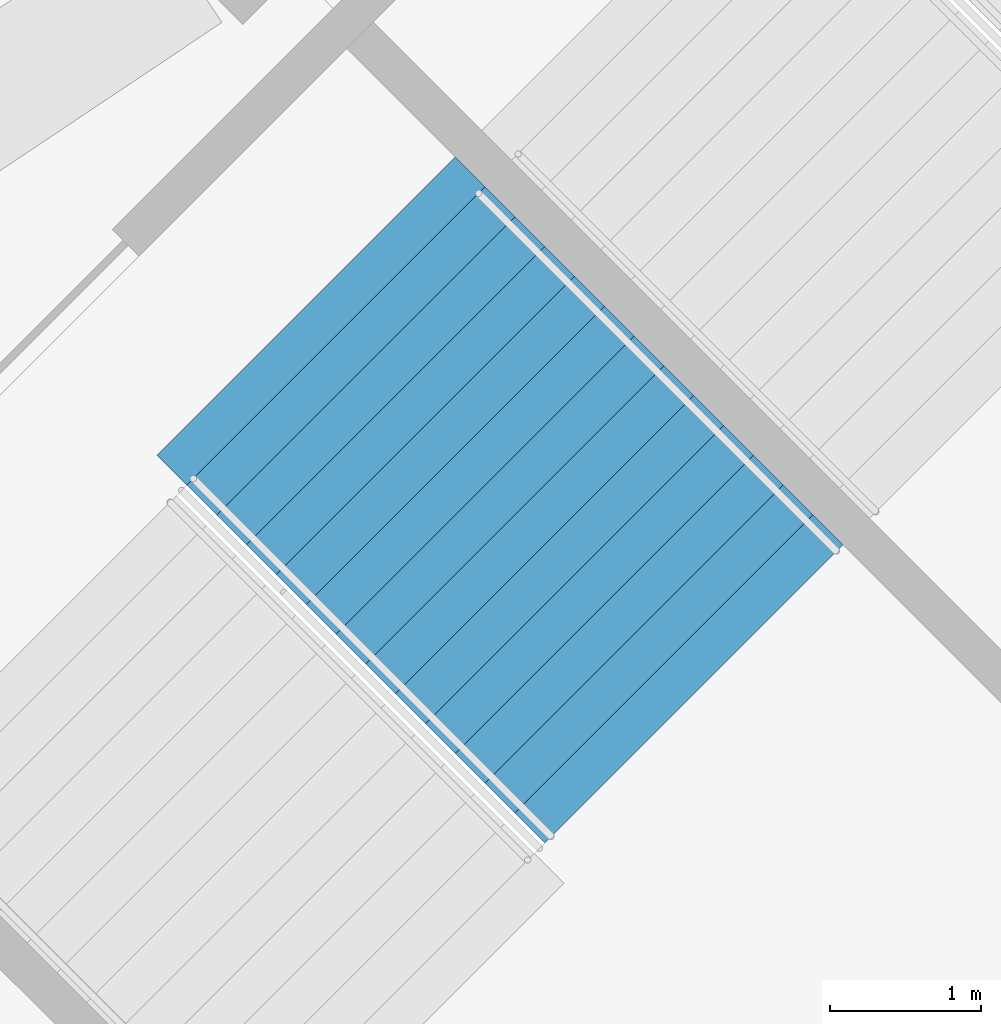
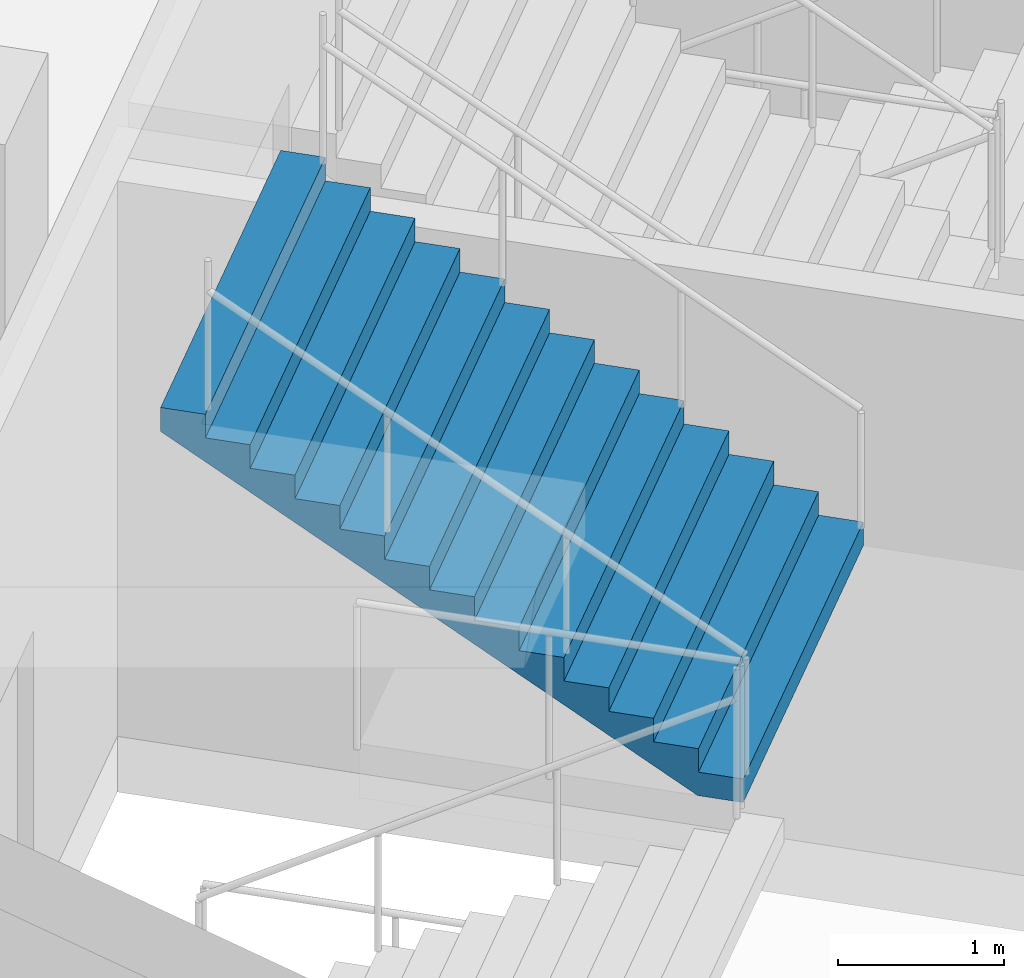
# One storey, part 135 of 199: 1 stair flight, 1 element without a shape of its own.
"""IFC4 building model written with IfcOpenShell, lengths in metres."""

from ifc_helpers import new_model, si_unit, direction, frame, origin, place, context, subcontext, project, spatial, faceted_brep, material, type_object, element, aggregate, save


model = new_model("IFC4")

# Units and contexts
model_context = context("Model", 3, precision=1e-05, world=origin(), true_north=direction((0.0, 1.0)))
body_context = subcontext(model_context, "Body", "Model", "MODEL_VIEW")
ifc_project = project(units=[si_unit("LENGTHUNIT", "METRE"), si_unit("AREAUNIT", "SQUARE_METRE"), si_unit("VOLUMEUNIT", "CUBIC_METRE"), si_unit("PLANEANGLEUNIT", "RADIAN"), si_unit("MASSUNIT", "GRAM", prefix="KILO")], contexts=[model_context])

# Site, building, storey
site_placement = place(None, origin())
site = spatial("IfcSite", under=ifc_project, at=site_placement, CompositionType="ELEMENT")
building_placement = place(site_placement, origin())
building = spatial("IfcBuilding", under=site, at=building_placement, Name="Ogive Plaza Stadium", CompositionType="ELEMENT")
storey_placement = place(building_placement, frame((0.0, 0.0, 9.0)))
storey = spatial("IfcBuildingStorey", under=building, at=storey_placement, Name="L02", CompositionType="ELEMENT", Elevation=9.0)

# Stair, stair flight
ifc_material_1 = material(Name="Concrete C40/50", Category="concrete")
stair_type = type_object("IfcStairType", Name="Exit stair", PredefinedType="STRAIGHT_RUN_STAIR", material=ifc_material_1)
stair_placement = place(storey_placement, origin())
stair = element("IfcStair", 1, at=stair_placement, inside=storey, type_object=stair_type, Name="Exit stair ST10A L02 to L03", PredefinedType="STRAIGHT_RUN_STAIR")
ifc_material_2 = material(Name="Concrete C40/50", Category="concrete")
stair_flight_type = type_object("IfcStairFlightType", Name="Exit stair flight", PredefinedType="STRAIGHT", material=ifc_material_2)
stair_flight_placement = place(storey_placement, frame((65.243408203125, -85.900146484375, 2.25), z_axis=(0.0, 0.0, 1.0), x_axis=(-0.707106781187, 0.707106781187, 0.0)))
stair_flight = element("IfcStairFlight", 2, at=stair_flight_placement, type_object=stair_flight_type, Name="ST10A flight 2", NumberOfRisers=13, NumberOfTreads=12, PredefinedType="STRAIGHT", RiserHeight=0.173076923, TreadLength=0.28, context=body_context, shape_type="Brep", body=[
    faceted_brep([(0.28515625, -1.39990234375, 0.0), (3.639892578125, -1.39990234375, 2.07373046875), (3.639892578125, -1.39990234375, 2.25), (3.360107421875, -1.39990234375, 2.25), (3.360107421875, -1.39990234375, 2.076904296875), (3.080078125, -1.39990234375, 2.076904296875), (3.080078125, -1.39990234375, 1.90380859375), (2.800048828125, -1.39990234375, 1.90380859375), (2.800048828125, -1.39990234375, 1.730712890625), (2.52001953125, -1.39990234375, 1.730712890625), (2.52001953125, -1.39990234375, 1.5576171875), (2.239990234375, -1.39990234375, 1.5576171875), (2.239990234375, -1.39990234375, 1.384521484375), (1.9599609375, -1.39990234375, 1.384521484375), (1.9599609375, -1.39990234375, 1.21142578125), (1.679931640625, -1.39990234375, 1.21142578125), (1.679931640625, -1.39990234375, 1.03857421875), (1.39990234375, -1.39990234375, 1.03857421875), (1.39990234375, -1.39990234375, 0.865478515625), (1.1201171875, -1.39990234375, 0.865478515625), (1.1201171875, -1.39990234375, 0.6923828125), (0.840087890625, -1.39990234375, 0.6923828125), (0.840087890625, -1.39990234375, 0.519287109375), (0.56005859375, -1.39990234375, 0.519287109375), (0.56005859375, -1.39990234375, 0.34619140625), (0.280029296875, -1.39990234375, 0.34619140625), (0.280029296875, -1.39990234375, 0.173095703125), (0.0, -1.39990234375, 0.173095703125), (0.0, -1.39990234375, 0.0), (0.0, 1.39990234375, 0.0), (0.0, 1.39990234375, 0.173095703125), (0.280029296875, 1.39990234375, 0.173095703125), (0.280029296875, 1.39990234375, 0.34619140625), (0.56005859375, 1.39990234375, 0.34619140625), (0.56005859375, 1.39990234375, 0.519287109375), (0.840087890625, 1.39990234375, 0.519287109375), (0.840087890625, 1.39990234375, 0.6923828125), (1.1201171875, 1.39990234375, 0.6923828125), (1.1201171875, 1.39990234375, 0.865478515625), (1.39990234375, 1.39990234375, 0.865478515625), (1.39990234375, 1.39990234375, 1.03857421875), (1.679931640625, 1.39990234375, 1.03857421875), (1.679931640625, 1.39990234375, 1.21142578125), (1.9599609375, 1.39990234375, 1.21142578125), (1.9599609375, 1.39990234375, 1.384521484375), (2.239990234375, 1.39990234375, 1.384521484375), (2.239990234375, 1.39990234375, 1.5576171875), (2.52001953125, 1.39990234375, 1.5576171875), (2.52001953125, 1.39990234375, 1.730712890625), (2.800048828125, 1.39990234375, 1.730712890625), (2.800048828125, 1.39990234375, 1.90380859375), (3.080078125, 1.39990234375, 1.90380859375), (3.080078125, 1.39990234375, 2.076904296875), (3.360107421875, 1.39990234375, 2.076904296875), (3.360107421875, 1.39990234375, 2.25), (3.639892578125, 1.39990234375, 2.25), (3.639892578125, 1.39990234375, 2.07373046875), (0.28515625, 1.39990234375, 0.0), (0.28515625, -1.0888671875, 0.0), (3.639892578125, -1.0888671875, 2.07373046875), (0.28515625, -0.77783203125, 0.0), (3.639892578125, -0.77783203125, 2.07373046875), (0.28515625, -0.466796875, 0.0), (3.639892578125, -0.466796875, 2.07373046875), (0.28515625, -0.155517578125, 0.0), (3.639892578125, -0.155517578125, 2.07373046875), (0.28515625, 0.155517578125, 0.0), (3.639892578125, 0.155517578125, 2.07373046875), (0.28515625, 0.466796875, 0.0), (3.639892578125, 0.466796875, 2.07373046875), (0.28515625, 0.77783203125, 0.0), (3.639892578125, 0.77783203125, 2.07373046875), (0.28515625, 1.0888671875, 0.0), (3.639892578125, 1.0888671875, 2.07373046875), (3.639892578125, -1.0888671875, 2.25), (3.639892578125, -0.77783203125, 2.25), (3.639892578125, -0.466796875, 2.25), (3.639892578125, -0.155517578125, 2.25), (3.639892578125, 0.155517578125, 2.25), (3.639892578125, 0.466796875, 2.25), (3.639892578125, 0.77783203125, 2.25), (3.639892578125, 1.0888671875, 2.25), (3.360107421875, -1.0888671875, 2.25), (3.360107421875, -0.77783203125, 2.25), (3.360107421875, -0.466796875, 2.25), (3.360107421875, -0.155517578125, 2.25), (3.360107421875, 0.155517578125, 2.25), (3.360107421875, 0.466796875, 2.25), (3.360107421875, 0.77783203125, 2.25), (3.360107421875, 1.0888671875, 2.25), (3.360107421875, -1.0888671875, 2.076904296875), (3.360107421875, -0.77783203125, 2.076904296875), (3.360107421875, -0.466796875, 2.076904296875), (3.360107421875, -0.155517578125, 2.076904296875), (3.360107421875, 0.155517578125, 2.076904296875), (3.360107421875, 0.466796875, 2.076904296875), (3.360107421875, 0.77783203125, 2.076904296875), (3.360107421875, 1.0888671875, 2.076904296875), (3.080078125, -1.0888671875, 2.076904296875), (3.080078125, -0.77783203125, 2.076904296875), (3.080078125, -0.466796875, 2.076904296875), (3.080078125, -0.155517578125, 2.076904296875), (3.080078125, 0.155517578125, 2.076904296875), (3.080078125, 0.466796875, 2.076904296875), (3.080078125, 0.77783203125, 2.076904296875), (3.080078125, 1.0888671875, 2.076904296875), (3.080078125, -1.0888671875, 1.90380859375), (3.080078125, -0.77783203125, 1.90380859375), (3.080078125, -0.466796875, 1.90380859375), (3.080078125, -0.155517578125, 1.90380859375), (3.080078125, 0.155517578125, 1.90380859375), (3.080078125, 0.466796875, 1.90380859375), (3.080078125, 0.77783203125, 1.90380859375), (3.080078125, 1.0888671875, 1.90380859375), (2.800048828125, -1.0888671875, 1.90380859375), (2.800048828125, -0.77783203125, 1.90380859375), (2.800048828125, -0.466796875, 1.90380859375), (2.800048828125, -0.155517578125, 1.90380859375), (2.800048828125, 0.155517578125, 1.90380859375), (2.800048828125, 0.466796875, 1.90380859375), (2.800048828125, 0.77783203125, 1.90380859375), (2.800048828125, 1.0888671875, 1.90380859375), (2.800048828125, -1.0888671875, 1.730712890625), (2.800048828125, -0.77783203125, 1.730712890625), (2.800048828125, -0.466796875, 1.730712890625), (2.800048828125, -0.155517578125, 1.730712890625), (2.800048828125, 0.155517578125, 1.730712890625), (2.800048828125, 0.466796875, 1.730712890625), (2.800048828125, 0.77783203125, 1.730712890625), (2.800048828125, 1.0888671875, 1.730712890625), (2.52001953125, -1.0888671875, 1.730712890625), (2.52001953125, -0.77783203125, 1.730712890625), (2.52001953125, -0.466796875, 1.730712890625), (2.52001953125, -0.155517578125, 1.730712890625), (2.52001953125, 0.155517578125, 1.730712890625), (2.52001953125, 0.466796875, 1.730712890625), (2.52001953125, 0.77783203125, 1.730712890625), (2.52001953125, 1.0888671875, 1.730712890625), (2.52001953125, -1.0888671875, 1.5576171875), (2.52001953125, -0.77783203125, 1.5576171875), (2.52001953125, -0.466796875, 1.5576171875), (2.52001953125, -0.155517578125, 1.5576171875), (2.52001953125, 0.155517578125, 1.5576171875), (2.52001953125, 0.466796875, 1.5576171875), (2.52001953125, 0.77783203125, 1.5576171875), (2.52001953125, 1.0888671875, 1.5576171875), (2.239990234375, -1.0888671875, 1.5576171875), (2.239990234375, -0.77783203125, 1.5576171875), (2.239990234375, -0.466796875, 1.5576171875), (2.239990234375, -0.155517578125, 1.5576171875), (2.239990234375, 0.155517578125, 1.5576171875), (2.239990234375, 0.466796875, 1.5576171875), (2.239990234375, 0.77783203125, 1.5576171875), (2.239990234375, 1.0888671875, 1.5576171875), (2.239990234375, -1.0888671875, 1.384521484375), (2.239990234375, -0.77783203125, 1.384521484375), (2.239990234375, -0.466796875, 1.384521484375), (2.239990234375, -0.155517578125, 1.384521484375), (2.239990234375, 0.155517578125, 1.384521484375), (2.239990234375, 0.466796875, 1.384521484375), (2.239990234375, 0.77783203125, 1.384521484375), (2.239990234375, 1.0888671875, 1.384521484375), (1.9599609375, -1.0888671875, 1.384521484375), (1.9599609375, -0.77783203125, 1.384521484375), (1.9599609375, -0.466796875, 1.384521484375), (1.9599609375, -0.155517578125, 1.384521484375), (1.9599609375, 0.155517578125, 1.384521484375), (1.9599609375, 0.466796875, 1.384521484375), (1.9599609375, 0.77783203125, 1.384521484375), (1.9599609375, 1.0888671875, 1.384521484375), (1.9599609375, -1.0888671875, 1.21142578125), (1.9599609375, -0.77783203125, 1.21142578125), (1.9599609375, -0.466796875, 1.21142578125), (1.9599609375, -0.155517578125, 1.21142578125), (1.9599609375, 0.155517578125, 1.21142578125), (1.9599609375, 0.466796875, 1.21142578125), (1.9599609375, 0.77783203125, 1.21142578125), (1.9599609375, 1.0888671875, 1.21142578125), (1.679931640625, -1.0888671875, 1.21142578125), (1.679931640625, -0.77783203125, 1.21142578125), (1.679931640625, -0.466796875, 1.21142578125), (1.679931640625, -0.155517578125, 1.21142578125), (1.679931640625, 0.155517578125, 1.21142578125), (1.679931640625, 0.466796875, 1.21142578125), (1.679931640625, 0.77783203125, 1.21142578125), (1.679931640625, 1.0888671875, 1.21142578125), (1.679931640625, -1.0888671875, 1.03857421875), (1.679931640625, -0.77783203125, 1.03857421875), (1.679931640625, -0.466796875, 1.03857421875), (1.679931640625, -0.155517578125, 1.03857421875), (1.679931640625, 0.155517578125, 1.03857421875), (1.679931640625, 0.466796875, 1.03857421875), (1.679931640625, 0.77783203125, 1.03857421875), (1.679931640625, 1.0888671875, 1.03857421875), (1.39990234375, -1.0888671875, 1.03857421875), (1.39990234375, -0.77783203125, 1.03857421875), (1.39990234375, -0.466796875, 1.03857421875), (1.39990234375, -0.155517578125, 1.03857421875), (1.39990234375, 0.155517578125, 1.03857421875), (1.39990234375, 0.466796875, 1.03857421875), (1.39990234375, 0.77783203125, 1.03857421875), (1.39990234375, 1.0888671875, 1.03857421875), (1.39990234375, -1.0888671875, 0.865478515625), (1.39990234375, -0.77783203125, 0.865478515625), (1.39990234375, -0.466796875, 0.865478515625), (1.39990234375, -0.155517578125, 0.865478515625), (1.39990234375, 0.155517578125, 0.865478515625), (1.39990234375, 0.466796875, 0.865478515625), (1.39990234375, 0.77783203125, 0.865478515625), (1.39990234375, 1.0888671875, 0.865478515625), (1.1201171875, -1.0888671875, 0.865478515625), (1.1201171875, -0.77783203125, 0.865478515625), (1.1201171875, -0.466796875, 0.865478515625), (1.1201171875, -0.155517578125, 0.865478515625), (1.1201171875, 0.155517578125, 0.865478515625), (1.1201171875, 0.466796875, 0.865478515625), (1.1201171875, 0.77783203125, 0.865478515625), (1.1201171875, 1.0888671875, 0.865478515625), (1.1201171875, -1.0888671875, 0.6923828125), (1.1201171875, -0.77783203125, 0.6923828125), (1.1201171875, -0.466796875, 0.6923828125), (1.1201171875, -0.155517578125, 0.6923828125), (1.1201171875, 0.155517578125, 0.6923828125), (1.1201171875, 0.466796875, 0.6923828125), (1.1201171875, 0.77783203125, 0.6923828125), (1.1201171875, 1.0888671875, 0.6923828125), (0.840087890625, -1.0888671875, 0.6923828125), (0.840087890625, -0.77783203125, 0.6923828125), (0.840087890625, -0.466796875, 0.6923828125), (0.840087890625, -0.155517578125, 0.6923828125), (0.840087890625, 0.155517578125, 0.6923828125), (0.840087890625, 0.466796875, 0.6923828125), (0.840087890625, 0.77783203125, 0.6923828125), (0.840087890625, 1.0888671875, 0.6923828125), (0.840087890625, -1.0888671875, 0.519287109375), (0.840087890625, -0.77783203125, 0.519287109375), (0.840087890625, -0.466796875, 0.519287109375), (0.840087890625, -0.155517578125, 0.519287109375), (0.840087890625, 0.155517578125, 0.519287109375), (0.840087890625, 0.466796875, 0.519287109375), (0.840087890625, 0.77783203125, 0.519287109375), (0.840087890625, 1.0888671875, 0.519287109375), (0.56005859375, -1.0888671875, 0.519287109375), (0.56005859375, -0.77783203125, 0.519287109375), (0.56005859375, -0.466796875, 0.519287109375), (0.56005859375, -0.155517578125, 0.519287109375), (0.56005859375, 0.155517578125, 0.519287109375), (0.56005859375, 0.466796875, 0.519287109375), (0.56005859375, 0.77783203125, 0.519287109375), (0.56005859375, 1.0888671875, 0.519287109375), (0.56005859375, -1.0888671875, 0.34619140625), (0.56005859375, -0.77783203125, 0.34619140625), (0.56005859375, -0.466796875, 0.34619140625), (0.56005859375, -0.155517578125, 0.34619140625), (0.56005859375, 0.155517578125, 0.34619140625), (0.56005859375, 0.466796875, 0.34619140625), (0.56005859375, 0.77783203125, 0.34619140625), (0.56005859375, 1.0888671875, 0.34619140625), (0.280029296875, -1.0888671875, 0.34619140625), (0.280029296875, -0.77783203125, 0.34619140625), (0.280029296875, -0.466796875, 0.34619140625), (0.280029296875, -0.155517578125, 0.34619140625), (0.280029296875, 0.155517578125, 0.34619140625), (0.280029296875, 0.466796875, 0.34619140625), (0.280029296875, 0.77783203125, 0.34619140625), (0.280029296875, 1.0888671875, 0.34619140625), (0.280029296875, -1.0888671875, 0.173095703125), (0.280029296875, -0.77783203125, 0.173095703125), (0.280029296875, -0.466796875, 0.173095703125), (0.280029296875, -0.155517578125, 0.173095703125), (0.280029296875, 0.155517578125, 0.173095703125), (0.280029296875, 0.466796875, 0.173095703125), (0.280029296875, 0.77783203125, 0.173095703125), (0.280029296875, 1.0888671875, 0.173095703125), (0.0, -1.0888671875, 0.173095703125), (0.0, -0.77783203125, 0.173095703125), (0.0, -0.466796875, 0.173095703125), (0.0, -0.155517578125, 0.173095703125), (0.0, 0.155517578125, 0.173095703125), (0.0, 0.466796875, 0.173095703125), (0.0, 0.77783203125, 0.173095703125), (0.0, 1.0888671875, 0.173095703125), (0.0, -1.0888671875, 0.0), (0.0, -0.77783203125, 0.0), (0.0, -0.466796875, 0.0), (0.0, -0.155517578125, 0.0), (0.0, 0.155517578125, 0.0), (0.0, 0.466796875, 0.0), (0.0, 0.77783203125, 0.0), (0.0, 1.0888671875, 0.0)], [[[0, 1, 2, 3, 4, 5, 6, 7, 8, 9, 10, 11, 12, 13, 14, 15, 16, 17, 18, 19, 20, 21, 22, 23, 24, 25, 26, 27, 28]], [[29, 30, 31, 32, 33, 34, 35, 36, 37, 38, 39, 40, 41, 42, 43, 44, 45, 46, 47, 48, 49, 50, 51, 52, 53, 54, 55, 56, 57]], [[0, 58, 59, 1]], [[58, 60, 61, 59]], [[60, 62, 63, 61]], [[62, 64, 65, 63]], [[64, 66, 67, 65]], [[66, 68, 69, 67]], [[68, 70, 71, 69]], [[70, 72, 73, 71]], [[72, 57, 56, 73]], [[1, 59, 74, 2]], [[59, 61, 75, 74]], [[61, 63, 76, 75]], [[63, 65, 77, 76]], [[65, 67, 78, 77]], [[67, 69, 79, 78]], [[69, 71, 80, 79]], [[71, 73, 81, 80]], [[73, 56, 55, 81]], [[2, 74, 82, 3]], [[74, 75, 83, 82]], [[75, 76, 84, 83]], [[76, 77, 85, 84]], [[77, 78, 86, 85]], [[78, 79, 87, 86]], [[79, 80, 88, 87]], [[80, 81, 89, 88]], [[81, 55, 54, 89]], [[3, 82, 90, 4]], [[82, 83, 91, 90]], [[83, 84, 92, 91]], [[84, 85, 93, 92]], [[85, 86, 94, 93]], [[86, 87, 95, 94]], [[87, 88, 96, 95]], [[88, 89, 97, 96]], [[89, 54, 53, 97]], [[4, 90, 98, 5]], [[90, 91, 99, 98]], [[91, 92, 100, 99]], [[92, 93, 101, 100]], [[93, 94, 102, 101]], [[94, 95, 103, 102]], [[95, 96, 104, 103]], [[96, 97, 105, 104]], [[97, 53, 52, 105]], [[5, 98, 106, 6]], [[98, 99, 107, 106]], [[99, 100, 108, 107]], [[100, 101, 109, 108]], [[101, 102, 110, 109]], [[102, 103, 111, 110]], [[103, 104, 112, 111]], [[104, 105, 113, 112]], [[105, 52, 51, 113]], [[6, 106, 114, 7]], [[106, 107, 115, 114]], [[107, 108, 116, 115]], [[108, 109, 117, 116]], [[109, 110, 118, 117]], [[110, 111, 119, 118]], [[111, 112, 120, 119]], [[112, 113, 121, 120]], [[113, 51, 50, 121]], [[7, 114, 122, 8]], [[114, 115, 123, 122]], [[115, 116, 124, 123]], [[116, 117, 125, 124]], [[117, 118, 126, 125]], [[118, 119, 127, 126]], [[119, 120, 128, 127]], [[120, 121, 129, 128]], [[121, 50, 49, 129]], [[8, 122, 130, 9]], [[122, 123, 131, 130]], [[123, 124, 132, 131]], [[124, 125, 133, 132]], [[125, 126, 134, 133]], [[126, 127, 135, 134]], [[127, 128, 136, 135]], [[128, 129, 137, 136]], [[129, 49, 48, 137]], [[9, 130, 138, 10]], [[130, 131, 139, 138]], [[131, 132, 140, 139]], [[132, 133, 141, 140]], [[133, 134, 142, 141]], [[134, 135, 143, 142]], [[135, 136, 144, 143]], [[136, 137, 145, 144]], [[137, 48, 47, 145]], [[10, 138, 146, 11]], [[138, 139, 147, 146]], [[139, 140, 148, 147]], [[140, 141, 149, 148]], [[141, 142, 150, 149]], [[142, 143, 151, 150]], [[143, 144, 152, 151]], [[144, 145, 153, 152]], [[145, 47, 46, 153]], [[11, 146, 154, 12]], [[146, 147, 155, 154]], [[147, 148, 156, 155]], [[148, 149, 157, 156]], [[149, 150, 158, 157]], [[150, 151, 159, 158]], [[151, 152, 160, 159]], [[152, 153, 161, 160]], [[153, 46, 45, 161]], [[12, 154, 162, 13]], [[154, 155, 163, 162]], [[155, 156, 164, 163]], [[156, 157, 165, 164]], [[157, 158, 166, 165]], [[158, 159, 167, 166]], [[159, 160, 168, 167]], [[160, 161, 169, 168]], [[161, 45, 44, 169]], [[13, 162, 170, 14]], [[162, 163, 171, 170]], [[163, 164, 172, 171]], [[164, 165, 173, 172]], [[165, 166, 174, 173]], [[166, 167, 175, 174]], [[167, 168, 176, 175]], [[168, 169, 177, 176]], [[169, 44, 43, 177]], [[14, 170, 178, 15]], [[170, 171, 179, 178]], [[171, 172, 180, 179]], [[172, 173, 181, 180]], [[173, 174, 182, 181]], [[174, 175, 183, 182]], [[175, 176, 184, 183]], [[176, 177, 185, 184]], [[177, 43, 42, 185]], [[15, 178, 186, 16]], [[178, 179, 187, 186]], [[179, 180, 188, 187]], [[180, 181, 189, 188]], [[181, 182, 190, 189]], [[182, 183, 191, 190]], [[183, 184, 192, 191]], [[184, 185, 193, 192]], [[185, 42, 41, 193]], [[16, 186, 194, 17]], [[186, 187, 195, 194]], [[187, 188, 196, 195]], [[188, 189, 197, 196]], [[189, 190, 198, 197]], [[190, 191, 199, 198]], [[191, 192, 200, 199]], [[192, 193, 201, 200]], [[193, 41, 40, 201]], [[17, 194, 202, 18]], [[194, 195, 203, 202]], [[195, 196, 204, 203]], [[196, 197, 205, 204]], [[197, 198, 206, 205]], [[198, 199, 207, 206]], [[199, 200, 208, 207]], [[200, 201, 209, 208]], [[201, 40, 39, 209]], [[18, 202, 210, 19]], [[202, 203, 211, 210]], [[203, 204, 212, 211]], [[204, 205, 213, 212]], [[205, 206, 214, 213]], [[206, 207, 215, 214]], [[207, 208, 216, 215]], [[208, 209, 217, 216]], [[209, 39, 38, 217]], [[19, 210, 218, 20]], [[210, 211, 219, 218]], [[211, 212, 220, 219]], [[212, 213, 221, 220]], [[213, 214, 222, 221]], [[214, 215, 223, 222]], [[215, 216, 224, 223]], [[216, 217, 225, 224]], [[217, 38, 37, 225]], [[20, 218, 226, 21]], [[218, 219, 227, 226]], [[219, 220, 228, 227]], [[220, 221, 229, 228]], [[221, 222, 230, 229]], [[222, 223, 231, 230]], [[223, 224, 232, 231]], [[224, 225, 233, 232]], [[225, 37, 36, 233]], [[21, 226, 234, 22]], [[226, 227, 235, 234]], [[227, 228, 236, 235]], [[228, 229, 237, 236]], [[229, 230, 238, 237]], [[230, 231, 239, 238]], [[231, 232, 240, 239]], [[232, 233, 241, 240]], [[233, 36, 35, 241]], [[22, 234, 242, 23]], [[234, 235, 243, 242]], [[235, 236, 244, 243]], [[236, 237, 245, 244]], [[237, 238, 246, 245]], [[238, 239, 247, 246]], [[239, 240, 248, 247]], [[240, 241, 249, 248]], [[241, 35, 34, 249]], [[23, 242, 250, 24]], [[242, 243, 251, 250]], [[243, 244, 252, 251]], [[244, 245, 253, 252]], [[245, 246, 254, 253]], [[246, 247, 255, 254]], [[247, 248, 256, 255]], [[248, 249, 257, 256]], [[249, 34, 33, 257]], [[24, 250, 258, 25]], [[250, 251, 259, 258]], [[251, 252, 260, 259]], [[252, 253, 261, 260]], [[253, 254, 262, 261]], [[254, 255, 263, 262]], [[255, 256, 264, 263]], [[256, 257, 265, 264]], [[257, 33, 32, 265]], [[25, 258, 266, 26]], [[258, 259, 267, 266]], [[259, 260, 268, 267]], [[260, 261, 269, 268]], [[261, 262, 270, 269]], [[262, 263, 271, 270]], [[263, 264, 272, 271]], [[264, 265, 273, 272]], [[265, 32, 31, 273]], [[26, 266, 274, 27]], [[266, 267, 275, 274]], [[267, 268, 276, 275]], [[268, 269, 277, 276]], [[269, 270, 278, 277]], [[270, 271, 279, 278]], [[271, 272, 280, 279]], [[272, 273, 281, 280]], [[273, 31, 30, 281]], [[27, 274, 282, 28]], [[274, 275, 283, 282]], [[275, 276, 284, 283]], [[276, 277, 285, 284]], [[277, 278, 286, 285]], [[278, 279, 287, 286]], [[279, 280, 288, 287]], [[280, 281, 289, 288]], [[281, 30, 29, 289]], [[28, 282, 58, 0]], [[282, 283, 60, 58]], [[283, 284, 62, 60]], [[284, 285, 64, 62]], [[285, 286, 66, 64]], [[286, 287, 68, 66]], [[287, 288, 70, 68]], [[288, 289, 72, 70]], [[289, 29, 57, 72]]]),
])
aggregate(stair, [stair_flight])

save(model, "model.ifc")
